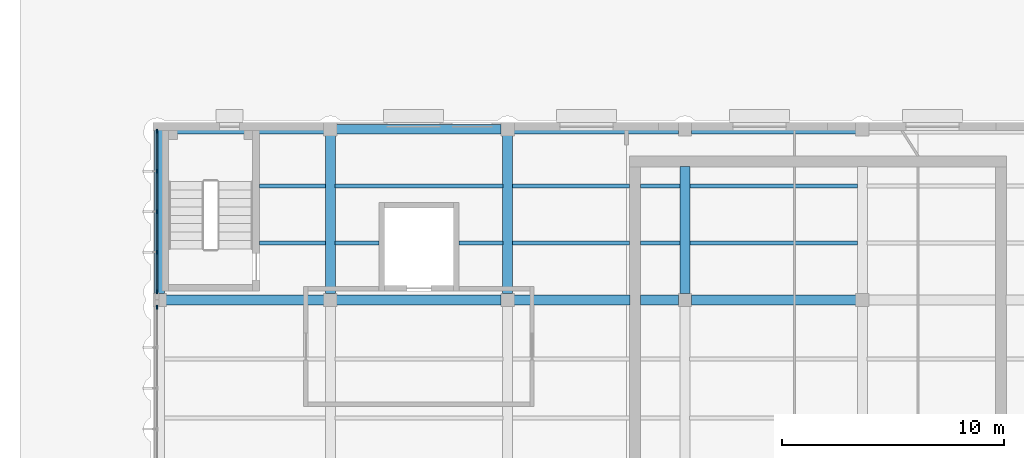
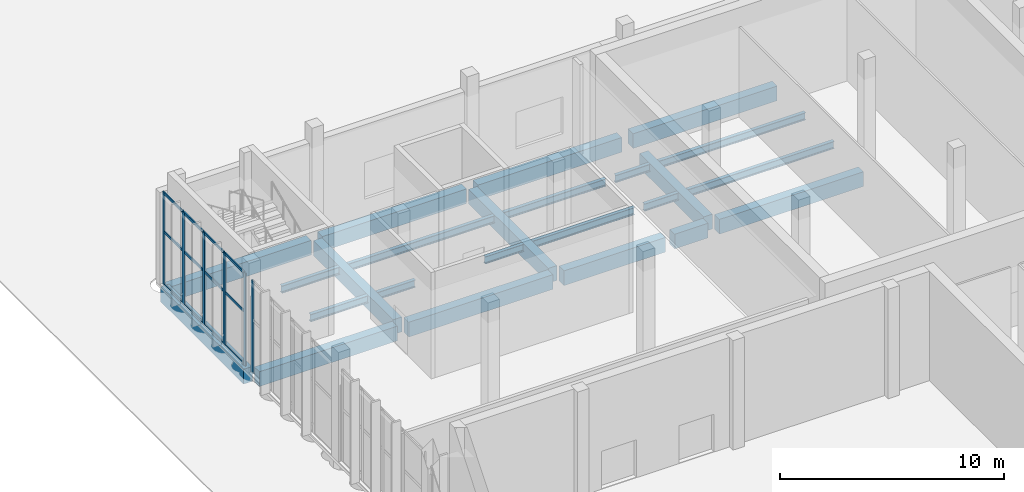
# One storey, part 42 of 155: 24 beams, 18 members, 2 elements without a shape of their own.
"""IFC4 building model written with IfcOpenShell, lengths in metres."""

from ifc_helpers import new_model, si_unit, direction, frame, origin, origin_2d, place, context, subcontext, project, spatial, rectangle, i_section, extrude, material, layer, layer_set, material_profile, profile_set, type_object, element, aggregate, save


model = new_model("IFC4")

# Units and contexts
model_context = context("Model", 3, precision=1e-05, world=origin(), true_north=direction((0.0, 1.0)))
body_context = subcontext(model_context, "Body", "Model", "MODEL_VIEW")
ifc_project = project(units=[si_unit("LENGTHUNIT", "METRE"), si_unit("AREAUNIT", "SQUARE_METRE"), si_unit("VOLUMEUNIT", "CUBIC_METRE"), si_unit("PLANEANGLEUNIT", "RADIAN"), si_unit("MASSUNIT", "GRAM", prefix="KILO")], contexts=[model_context])

# Site, building, storey
site_placement = place(None, origin())
site = spatial("IfcSite", under=ifc_project, at=site_placement, CompositionType="ELEMENT")
building_placement = place(site_placement, origin())
building = spatial("IfcBuilding", under=site, at=building_placement, Name="Lunette Opera House", CompositionType="ELEMENT")
storey_placement = place(building_placement, origin())
storey = spatial("IfcBuildingStorey", under=building, at=storey_placement, Name="L00", CompositionType="ELEMENT", Elevation=0.0)

# Curtain wall, members
ifc_material_1 = material(Name="Aluminium", Category="aluminium")
ifc_layer = layer(ifc_material_1, 0.179931640625)
ifc_layer_set = layer_set([ifc_layer], Name="Aluminium")
curtain_wall_type = type_object("IfcCurtainWallType", Name="SUN FACE CURTAIN WALL", PredefinedType="NOTDEFINED", material=ifc_layer_set)
curtain_wall_1_placement = place(storey_placement, origin())
curtain_wall_1 = element("IfcCurtainWall", 1, at=curtain_wall_1_placement, inside=storey, type_object=curtain_wall_type, Name="Sun Face Curtain Wall F07 L00", PredefinedType="NOTDEFINED")
ifc_material_2 = material(Name="Aluminium", Category="aluminium")
ifc_material_profile_1 = material_profile(ifc_material_2, rectangle(XDim=0.06005859375, YDim=0.179931640625, at=origin_2d()), Name="MULLION 60 X 180")
ifc_profile_set_1 = profile_set([ifc_material_profile_1], Name="Aluminium")
member_type_1 = type_object("IfcMemberType", Name="MULLION 60 X 180", PredefinedType="MULLION", material=ifc_profile_set_1)
member_1_placement = place(storey_placement, frame((8.181884765625, 111.60498046875, 0.0), z_axis=(0.0, 0.0, 1.0), x_axis=(1.0, 0.0, 0.0)))
member_1 = element("IfcMember", 2, at=member_1_placement, type_object=member_type_1, Name="RW-X2001 mullion 1", PredefinedType="MULLION", context=body_context, shape_type="SweptSolid", body=[
    extrude(rectangle(XDim=0.06005859375, YDim=0.179931640625, at=origin_2d()), origin(), (0.0, 0.0, 1.0), 5.050048828125),
])
member_2_placement = place(storey_placement, frame((8.181884765625, 109.808837890625, 0.0), z_axis=(0.0, 0.0, 1.0), x_axis=(1.0, 0.0, 0.0)))
member_2 = element("IfcMember", 3, at=member_2_placement, type_object=member_type_1, Name="RW-X2001 mullion 2", PredefinedType="MULLION", context=body_context, shape_type="SweptSolid", body=[
    extrude(rectangle(XDim=0.06005859375, YDim=0.179931640625, at=origin_2d()), origin(), (0.0, 0.0, 1.0), 5.050048828125),
])
member_3_placement = place(storey_placement, frame((8.181884765625, 107.982421875, 0.0), z_axis=(0.0, 0.0, 1.0), x_axis=(1.0, 0.0, 0.0)))
member_3 = element("IfcMember", 4, at=member_3_placement, type_object=member_type_1, Name="RW-X2001 mullion 3", PredefinedType="MULLION", context=body_context, shape_type="SweptSolid", body=[
    extrude(rectangle(XDim=0.06005859375, YDim=0.179931640625, at=origin_2d()), origin(), (0.0, 0.0, 1.0), 5.050048828125),
])
member_4_placement = place(storey_placement, frame((8.181884765625, 106.15625, 0.0), z_axis=(0.0, 0.0, 1.0), x_axis=(1.0, 0.0, 0.0)))
member_4 = element("IfcMember", 5, at=member_4_placement, type_object=member_type_1, Name="RW-X2001 mullion 4", PredefinedType="MULLION", context=body_context, shape_type="SweptSolid", body=[
    extrude(rectangle(XDim=0.06005859375, YDim=0.179931640625, at=origin_2d()), origin(), (0.0, 0.0, 1.0), 5.050048828125),
])
member_5_placement = place(storey_placement, frame((8.181884765625, 104.360107421875, 0.0), z_axis=(0.0, 0.0, 1.0), x_axis=(1.0, 0.0, 0.0)))
member_5 = element("IfcMember", 6, at=member_5_placement, type_object=member_type_1, Name="RW-X2001 mullion 5", PredefinedType="MULLION", context=body_context, shape_type="SweptSolid", body=[
    extrude(rectangle(XDim=0.06005859375, YDim=0.179931640625, at=origin_2d()), origin(), (0.0, 0.0, 1.0), 5.050048828125),
])

# Curtain wall, member
curtain_wall_2_placement = place(storey_placement, origin())
curtain_wall_2 = element("IfcCurtainWall", 7, at=curtain_wall_2_placement, inside=storey, type_object=curtain_wall_type, Name="Sun Face Curtain Wall F08 L00", PredefinedType="NOTDEFINED")
member_6_placement = place(storey_placement, frame((8.181884765625, 103.666015625, 0.0), z_axis=(0.0, 0.0, 1.0), x_axis=(1.0, 0.0, 0.0)))
member_6 = element("IfcMember", 8, at=member_6_placement, type_object=member_type_1, Name="RW-X2002 mullion 1", PredefinedType="MULLION", context=body_context, shape_type="SweptSolid", body=[
    extrude(rectangle(XDim=0.06005859375, YDim=0.179931640625, at=origin_2d()), origin(), (0.0, 0.0, 1.0), 5.050048828125),
])
aggregate(curtain_wall_2, [member_6])

# Beams
ifc_material_3 = material(Name="Concrete C35/45", Category="concrete")
ifc_material_profile_2 = material_profile(ifc_material_3, rectangle(XDim=0.449951171875, YDim=0.800048828125, at=origin_2d()), Name="RC BEAM 450X800")
ifc_profile_set_2 = profile_set([ifc_material_profile_2], Name="Concrete C35/45")
beam_type_1 = type_object("IfcBeamType", Name="RC BEAM 450X800", PredefinedType="BEAM", material=ifc_profile_set_2)
beam_1_placement = place(storey_placement, frame((8.300048828125, 104.2900390625, -0.550048828125), z_axis=(0.0, 1.0, 0.0), x_axis=(-1.0, 0.0, 0.0)))
element("IfcBeam", 9, at=beam_1_placement, inside=storey, type_object=beam_type_1, Name="beam-RW-L00-L00-GY05", PredefinedType="BEAM", context=body_context, shape_type="SweptSolid", body=[
    extrude(rectangle(XDim=0.449951171875, YDim=0.800048828125, at=origin_2d()), origin(), (0.0, 0.0, 1.0), 7.409912109375),
])
for number, where, z_axis, x_axis, name in (
    (10, (16.0, 104.2900390625, -0.550048828125), (0.0, 1.0, 0.0), (-1.0, 0.0, 0.0), "beam-RW-L00-L00-GY15"),
    (11, (24.0, 104.2900390625, -0.550048828125), (0.0, 1.0, 0.0), (-1.0, 0.0, 0.0), "beam-RW-L00-L00-GY25"),
):
    element("IfcBeam", number, at=place(storey_placement, frame(where, z_axis=z_axis, x_axis=x_axis)), inside=storey, type_object=beam_type_1, Name=name, PredefinedType="BEAM", context=body_context, shape_type="SweptSolid", body=[
        extrude(rectangle(XDim=0.449951171875, YDim=0.800048828125, at=origin_2d()), origin(), (0.0, 0.0, 1.0), 7.119873046875),
    ])
beam_2_placement = place(storey_placement, frame((32.0, 104.2900390625, -0.550048828125), z_axis=(0.0, 1.0, 0.0), x_axis=(-1.0, 0.0, 0.0)))
element("IfcBeam", 12, at=beam_2_placement, inside=storey, type_object=beam_type_1, Name="beam-RW-L00-L00-GY35", PredefinedType="BEAM", context=body_context, shape_type="SweptSolid", body=[
    extrude(rectangle(XDim=0.449951171875, YDim=0.800048828125, at=origin_2d()), origin(), (0.0, 0.0, 1.0), 5.719970703125),
])
beam_3_placement = place(storey_placement, frame((8.590087890625, 104.0, -0.550048828125), z_axis=(1.0, 0.0, 0.0), x_axis=(0.0, 1.0, 0.0)))
element("IfcBeam", 13, at=beam_3_placement, inside=storey, type_object=beam_type_1, Name="beam-RW-L00-L00-GX05", PredefinedType="BEAM", context=body_context, shape_type="SweptSolid", body=[
    extrude(rectangle(XDim=0.449951171875, YDim=0.800048828125, at=origin_2d()), origin(), (0.0, 0.0, 1.0), 7.119873046875),
])
beam_4_placement = place(storey_placement, frame((16.2900390625, 104.0, -0.550048828125), z_axis=(1.0, 0.0, 0.0), x_axis=(0.0, 1.0, 0.0)))
element("IfcBeam", 14, at=beam_4_placement, inside=storey, type_object=beam_type_1, Name="beam-RW-L00-L00-GX15", PredefinedType="BEAM", context=body_context, shape_type="SweptSolid", body=[
    extrude(rectangle(XDim=0.449951171875, YDim=0.800048828125, at=origin_2d()), origin(), (0.0, 0.0, 1.0), 7.419921875),
])
beam_5_placement = place(storey_placement, frame((24.2900390625, 104.0, -0.550048828125), z_axis=(1.0, 0.0, 0.0), x_axis=(0.0, 1.0, 0.0)))
element("IfcBeam", 15, at=beam_5_placement, inside=storey, type_object=beam_type_1, Name="beam-RW-L00-L00-GX25", PredefinedType="BEAM", context=body_context, shape_type="SweptSolid", body=[
    extrude(rectangle(XDim=0.449951171875, YDim=0.800048828125, at=origin_2d()), origin(), (0.0, 0.0, 1.0), 5.219970703125),
])
beam_6_placement = place(storey_placement, frame((29.989990234375, 104.0, -0.550048828125), z_axis=(1.0, 0.0, 0.0), x_axis=(0.0, 1.0, 0.0)))
element("IfcBeam", 16, at=beam_6_placement, inside=storey, type_object=beam_type_1, Name="beam-RW-L00-L00-GX25-1", PredefinedType="BEAM", context=body_context, shape_type="SweptSolid", body=[
    extrude(rectangle(XDim=0.449951171875, YDim=0.800048828125, at=origin_2d()), origin(), (0.0, 0.0, 1.0), 1.719970703125),
])
beam_7_placement = place(storey_placement, frame((32.2900390625, 104.0, -0.550048828125), z_axis=(1.0, 0.0, 0.0), x_axis=(0.0, 1.0, 0.0)))
element("IfcBeam", 17, at=beam_7_placement, inside=storey, type_object=beam_type_1, Name="beam-RW-L00-L00-GX35", PredefinedType="BEAM", context=body_context, shape_type="SweptSolid", body=[
    extrude(rectangle(XDim=0.449951171875, YDim=0.800048828125, at=origin_2d()), origin(), (0.0, 0.0, 1.0), 7.419921875),
])
beam_8_placement = place(storey_placement, frame((8.300048828125, 111.699951171875, -0.550048828125), z_axis=(1.0, 0.0, 0.0), x_axis=(0.0, 1.0, 0.0)))
element("IfcBeam", 18, at=beam_8_placement, inside=storey, type_object=beam_type_1, Name="beam-RW-L00-L00-GX06", PredefinedType="BEAM", context=body_context, shape_type="SweptSolid", body=[
    extrude(rectangle(XDim=0.449951171875, YDim=0.800048828125, at=origin_2d()), origin(), (0.0, 0.0, 1.0), 7.409912109375),
])
for number, where, z_axis, x_axis, name in (
    (19, (16.2900390625, 111.699951171875, -0.550048828125), (1.0, 0.0, 0.0), (0.0, 1.0, 0.0), "beam-RW-L00-L00-GX16"),
    (20, (24.2900390625, 111.699951171875, -0.550048828125), (1.0, 0.0, 0.0), (0.0, 1.0, 0.0), "beam-RW-L00-L00-GX26"),
    (21, (32.2900390625, 111.699951171875, -0.550048828125), (1.0, 0.0, 0.0), (0.0, 1.0, 0.0), "beam-RW-L00-L00-GX36"),
):
    element("IfcBeam", number, at=place(storey_placement, frame(where, z_axis=z_axis, x_axis=x_axis)), inside=storey, type_object=beam_type_1, Name=name, PredefinedType="BEAM", context=body_context, shape_type="SweptSolid", body=[
        extrude(rectangle(XDim=0.449951171875, YDim=0.800048828125, at=origin_2d()), origin(), (0.0, 0.0, 1.0), 7.419921875),
    ])
ifc_material_4 = material(Name="Steel S355", Category="steel")
ifc_material_profile_3 = material_profile(ifc_material_4, i_section(OverallWidth=0.179931640625, OverallDepth=0.39990234375, WebThickness=0.008544921875, FlangeThickness=0.013427734375, FilletRadius=0.02099609375, at=origin_2d()), Name="IPE 400")
ifc_profile_set_3 = profile_set([ifc_material_profile_3], Name="Steel S355")
beam_type_2 = type_object("IfcBeamType", Name="STEEL BEAM IPE 400", PredefinedType="BEAM", material=ifc_profile_set_3)
for number, where, z_axis, x_axis, name in (
    (22, (12.800048828125, 106.56689453125, -0.35009765625), (1.0, 0.0, 0.0), (0.0, 1.0, 0.0), "beam-RW-L00-L00-SX051"),
    (23, (12.800048828125, 109.133056640625, -0.35009765625), (1.0, 0.0, 0.0), (0.0, 1.0, 0.0), "beam-RW-L00-L00-SX052"),
):
    element("IfcBeam", number, at=place(storey_placement, frame(where, z_axis=z_axis, x_axis=x_axis)), inside=storey, type_object=beam_type_2, Name=name, PredefinedType="BEAM", context=body_context, shape_type="SweptSolid", body=[
        extrude(i_section(OverallWidth=0.179931640625, OverallDepth=0.39990234375, WebThickness=0.008544921875, FlangeThickness=0.013427734375, FilletRadius=0.02099609375, at=origin_2d()), origin(), (0.0, 0.0, 1.0), 2.98486328125),
    ])
for number, where, z_axis, x_axis, name in (
    (24, (16.215087890625, 106.56689453125, -0.35009765625), (1.0, 0.0, 0.0), (0.0, 1.0, 0.0), "beam-RW-L00-L00-SX151"),
    (25, (21.800048828125, 106.56689453125, -0.35009765625), (1.0, 0.0, 0.0), (0.0, 1.0, 0.0), "beam-RW-L00-L00-SX151-01"),
):
    element("IfcBeam", number, at=place(storey_placement, frame(where, z_axis=z_axis, x_axis=x_axis)), inside=storey, type_object=beam_type_2, Name=name, PredefinedType="BEAM", context=body_context, shape_type="SweptSolid", body=[
        extrude(i_section(OverallWidth=0.179931640625, OverallDepth=0.39990234375, WebThickness=0.008544921875, FlangeThickness=0.013427734375, FilletRadius=0.02099609375, at=origin_2d()), origin(), (0.0, 0.0, 1.0), 1.98486328125),
    ])
beam_9_placement = place(storey_placement, frame((16.215087890625, 109.133056640625, -0.35009765625), z_axis=(1.0, 0.0, 0.0), x_axis=(0.0, 1.0, 0.0)))
element("IfcBeam", 26, at=beam_9_placement, inside=storey, type_object=beam_type_2, Name="beam-RW-L00-L00-SX152", PredefinedType="BEAM", context=body_context, shape_type="SweptSolid", body=[
    extrude(i_section(OverallWidth=0.179931640625, OverallDepth=0.39990234375, WebThickness=0.008544921875, FlangeThickness=0.013427734375, FilletRadius=0.02099609375, at=origin_2d()), origin(), (0.0, 0.0, 1.0), 7.56982421875),
])
beam_10_placement = place(storey_placement, frame((24.215087890625, 106.56689453125, -0.35009765625), z_axis=(1.0, 0.0, 0.0), x_axis=(0.0, 1.0, 0.0)))
element("IfcBeam", 27, at=beam_10_placement, inside=storey, type_object=beam_type_2, Name="beam-RW-L00-L00-SX251", PredefinedType="BEAM", context=body_context, shape_type="SweptSolid", body=[
    extrude(i_section(OverallWidth=0.179931640625, OverallDepth=0.39990234375, WebThickness=0.008544921875, FlangeThickness=0.013427734375, FilletRadius=0.02099609375, at=origin_2d()), origin(), (0.0, 0.0, 1.0), 5.284912109375),
])
beam_11_placement = place(storey_placement, frame((30.0, 106.56689453125, -0.35009765625), z_axis=(1.0, 0.0, 0.0), x_axis=(0.0, 1.0, 0.0)))
element("IfcBeam", 28, at=beam_11_placement, inside=storey, type_object=beam_type_2, Name="beam-RW-L00-L00-SX251-01", PredefinedType="BEAM", context=body_context, shape_type="SweptSolid", body=[
    extrude(i_section(OverallWidth=0.179931640625, OverallDepth=0.39990234375, WebThickness=0.008544921875, FlangeThickness=0.013427734375, FilletRadius=0.02099609375, at=origin_2d()), origin(), (0.0, 0.0, 1.0), 1.784912109375),
])
beam_12_placement = place(storey_placement, frame((24.215087890625, 109.133056640625, -0.35009765625), z_axis=(1.0, 0.0, 0.0), x_axis=(0.0, 1.0, 0.0)))
element("IfcBeam", 29, at=beam_12_placement, inside=storey, type_object=beam_type_2, Name="beam-RW-L00-L00-SX252", PredefinedType="BEAM", context=body_context, shape_type="SweptSolid", body=[
    extrude(i_section(OverallWidth=0.179931640625, OverallDepth=0.39990234375, WebThickness=0.008544921875, FlangeThickness=0.013427734375, FilletRadius=0.02099609375, at=origin_2d()), origin(), (0.0, 0.0, 1.0), 5.284912109375),
])
beam_13_placement = place(storey_placement, frame((30.0, 109.133056640625, -0.35009765625), z_axis=(1.0, 0.0, 0.0), x_axis=(0.0, 1.0, 0.0)))
element("IfcBeam", 30, at=beam_13_placement, inside=storey, type_object=beam_type_2, Name="beam-RW-L00-L00-SX252-01", PredefinedType="BEAM", context=body_context, shape_type="SweptSolid", body=[
    extrude(i_section(OverallWidth=0.179931640625, OverallDepth=0.39990234375, WebThickness=0.008544921875, FlangeThickness=0.013427734375, FilletRadius=0.02099609375, at=origin_2d()), origin(), (0.0, 0.0, 1.0), 1.784912109375),
])
for number, where, z_axis, x_axis, name in (
    (31, (32.215087890625, 106.56689453125, -0.35009765625), (1.0, 0.0, 0.0), (0.0, 1.0, 0.0), "beam-RW-L00-L00-SX351"),
    (32, (32.215087890625, 109.133056640625, -0.35009765625), (1.0, 0.0, 0.0), (0.0, 1.0, 0.0), "beam-RW-L00-L00-SX352"),
):
    element("IfcBeam", number, at=place(storey_placement, frame(where, z_axis=z_axis, x_axis=x_axis)), inside=storey, type_object=beam_type_2, Name=name, PredefinedType="BEAM", context=body_context, shape_type="SweptSolid", body=[
        extrude(i_section(OverallWidth=0.179931640625, OverallDepth=0.39990234375, WebThickness=0.008544921875, FlangeThickness=0.013427734375, FilletRadius=0.02099609375, at=origin_2d()), origin(), (0.0, 0.0, 1.0), 7.56982421875),
    ])

# Member
ifc_material_5 = material(Name="Aluminium", Category="aluminium")
ifc_material_profile_4 = material_profile(ifc_material_5, rectangle(XDim=0.06005859375, YDim=0.139892578125, at=origin_2d()), Name="TRANSOM 60 X 140")
ifc_profile_set_4 = profile_set([ifc_material_profile_4], Name="Aluminium")
member_type_2 = type_object("IfcMemberType", Name="TRANSOM 60 X 140", PredefinedType="USERDEFINED", material=ifc_profile_set_4)
member_7_placement = place(storey_placement, frame((8.181884765625, 111.574951171875, 0.030029296875), z_axis=(0.0, -1.0, 0.0), x_axis=(1.0, 0.0, 0.0)))
member_7 = element("IfcMember", 33, at=member_7_placement, type_object=member_type_2, Name="RW-X2001 transom 1.1", ObjectType="TRANSOM", PredefinedType="USERDEFINED", context=body_context, shape_type="SweptSolid", body=[
    extrude(rectangle(XDim=0.06005859375, YDim=0.139892578125, at=origin_2d()), origin(), (0.0, 0.0, 1.0), 1.736083984375),
])

member_8_placement = place(storey_placement, frame((8.181884765625, 111.574951171875, 2.925048828125), z_axis=(0.0, -1.0, 0.0), x_axis=(1.0, 0.0, 0.0)))
member_8 = element("IfcMember", 34, at=member_8_placement, type_object=member_type_2, Name="RW-X2001 transom 1.2", ObjectType="TRANSOM", PredefinedType="USERDEFINED", context=body_context, shape_type="SweptSolid", body=[
    extrude(rectangle(XDim=0.06005859375, YDim=0.139892578125, at=origin_2d()), origin(), (0.0, 0.0, 1.0), 1.736083984375),
])

member_9_placement = place(storey_placement, frame((8.181884765625, 111.574951171875, 5.02001953125), z_axis=(0.0, -1.0, 0.0), x_axis=(1.0, 0.0, 0.0)))
member_9 = element("IfcMember", 35, at=member_9_placement, type_object=member_type_2, Name="RW-X2001 transom 1.3", ObjectType="TRANSOM", PredefinedType="USERDEFINED", context=body_context, shape_type="SweptSolid", body=[
    extrude(rectangle(XDim=0.06005859375, YDim=0.139892578125, at=origin_2d()), origin(), (0.0, 0.0, 1.0), 1.736083984375),
])

member_10_placement = place(storey_placement, frame((8.181884765625, 109.77880859375, 0.030029296875), z_axis=(0.0, -1.0, 0.0), x_axis=(1.0, 0.0, 0.0)))
member_10 = element("IfcMember", 36, at=member_10_placement, type_object=member_type_2, Name="RW-X2001 transom 2.1", ObjectType="TRANSOM", PredefinedType="USERDEFINED", context=body_context, shape_type="SweptSolid", body=[
    extrude(rectangle(XDim=0.06005859375, YDim=0.139892578125, at=origin_2d()), origin(), (0.0, 0.0, 1.0), 1.766357421875),
])

member_11_placement = place(storey_placement, frame((8.181884765625, 109.77880859375, 2.925048828125), z_axis=(0.0, -1.0, 0.0), x_axis=(1.0, 0.0, 0.0)))
member_11 = element("IfcMember", 37, at=member_11_placement, type_object=member_type_2, Name="RW-X2001 transom 2.2", ObjectType="TRANSOM", PredefinedType="USERDEFINED", context=body_context, shape_type="SweptSolid", body=[
    extrude(rectangle(XDim=0.06005859375, YDim=0.139892578125, at=origin_2d()), origin(), (0.0, 0.0, 1.0), 1.766357421875),
])

member_12_placement = place(storey_placement, frame((8.181884765625, 109.77880859375, 5.02001953125), z_axis=(0.0, -1.0, 0.0), x_axis=(1.0, 0.0, 0.0)))
member_12 = element("IfcMember", 38, at=member_12_placement, type_object=member_type_2, Name="RW-X2001 transom 2.3", ObjectType="TRANSOM", PredefinedType="USERDEFINED", context=body_context, shape_type="SweptSolid", body=[
    extrude(rectangle(XDim=0.06005859375, YDim=0.139892578125, at=origin_2d()), origin(), (0.0, 0.0, 1.0), 1.766357421875),
])

member_13_placement = place(storey_placement, frame((8.181884765625, 107.952392578125, 0.030029296875), z_axis=(0.0, -1.0, 0.0), x_axis=(1.0, 0.0, 0.0)))
member_13 = element("IfcMember", 39, at=member_13_placement, type_object=member_type_2, Name="RW-X2001 transom 3.1", ObjectType="TRANSOM", PredefinedType="USERDEFINED", context=body_context, shape_type="SweptSolid", body=[
    extrude(rectangle(XDim=0.06005859375, YDim=0.139892578125, at=origin_2d()), origin(), (0.0, 0.0, 1.0), 1.76611328125),
])

member_14_placement = place(storey_placement, frame((8.181884765625, 107.952392578125, 2.925048828125), z_axis=(0.0, -1.0, 0.0), x_axis=(1.0, 0.0, 0.0)))
member_14 = element("IfcMember", 40, at=member_14_placement, type_object=member_type_2, Name="RW-X2001 transom 3.2", ObjectType="TRANSOM", PredefinedType="USERDEFINED", context=body_context, shape_type="SweptSolid", body=[
    extrude(rectangle(XDim=0.06005859375, YDim=0.139892578125, at=origin_2d()), origin(), (0.0, 0.0, 1.0), 1.76611328125),
])

member_15_placement = place(storey_placement, frame((8.181884765625, 107.952392578125, 5.02001953125), z_axis=(0.0, -1.0, 0.0), x_axis=(1.0, 0.0, 0.0)))
member_15 = element("IfcMember", 41, at=member_15_placement, type_object=member_type_2, Name="RW-X2001 transom 3.3", ObjectType="TRANSOM", PredefinedType="USERDEFINED", context=body_context, shape_type="SweptSolid", body=[
    extrude(rectangle(XDim=0.06005859375, YDim=0.139892578125, at=origin_2d()), origin(), (0.0, 0.0, 1.0), 1.76611328125),
])

member_16_placement = place(storey_placement, frame((8.181884765625, 106.126220703125, 0.030029296875), z_axis=(0.0, -1.0, 0.0), x_axis=(1.0, 0.0, 0.0)))
member_16 = element("IfcMember", 42, at=member_16_placement, type_object=member_type_2, Name="RW-X2001 transom 4.1", ObjectType="TRANSOM", PredefinedType="USERDEFINED", context=body_context, shape_type="SweptSolid", body=[
    extrude(rectangle(XDim=0.06005859375, YDim=0.139892578125, at=origin_2d()), origin(), (0.0, 0.0, 1.0), 1.736328125),
])

member_17_placement = place(storey_placement, frame((8.181884765625, 106.126220703125, 2.925048828125), z_axis=(0.0, -1.0, 0.0), x_axis=(1.0, 0.0, 0.0)))
member_17 = element("IfcMember", 43, at=member_17_placement, type_object=member_type_2, Name="RW-X2001 transom 4.2", ObjectType="TRANSOM", PredefinedType="USERDEFINED", context=body_context, shape_type="SweptSolid", body=[
    extrude(rectangle(XDim=0.06005859375, YDim=0.139892578125, at=origin_2d()), origin(), (0.0, 0.0, 1.0), 1.736328125),
])

member_18_placement = place(storey_placement, frame((8.181884765625, 106.126220703125, 5.02001953125), z_axis=(0.0, -1.0, 0.0), x_axis=(1.0, 0.0, 0.0)))
member_18 = element("IfcMember", 44, at=member_18_placement, type_object=member_type_2, Name="RW-X2001 transom 4.3", ObjectType="TRANSOM", PredefinedType="USERDEFINED", context=body_context, shape_type="SweptSolid", body=[
    extrude(rectangle(XDim=0.06005859375, YDim=0.139892578125, at=origin_2d()), origin(), (0.0, 0.0, 1.0), 1.736328125),
])

aggregate(curtain_wall_1, [member_1, member_2, member_3, member_4, member_5, member_7, member_8, member_9, member_10, member_11, member_12, member_13, member_14, member_15, member_16, member_17, member_18])

save(model, "model.ifc")
